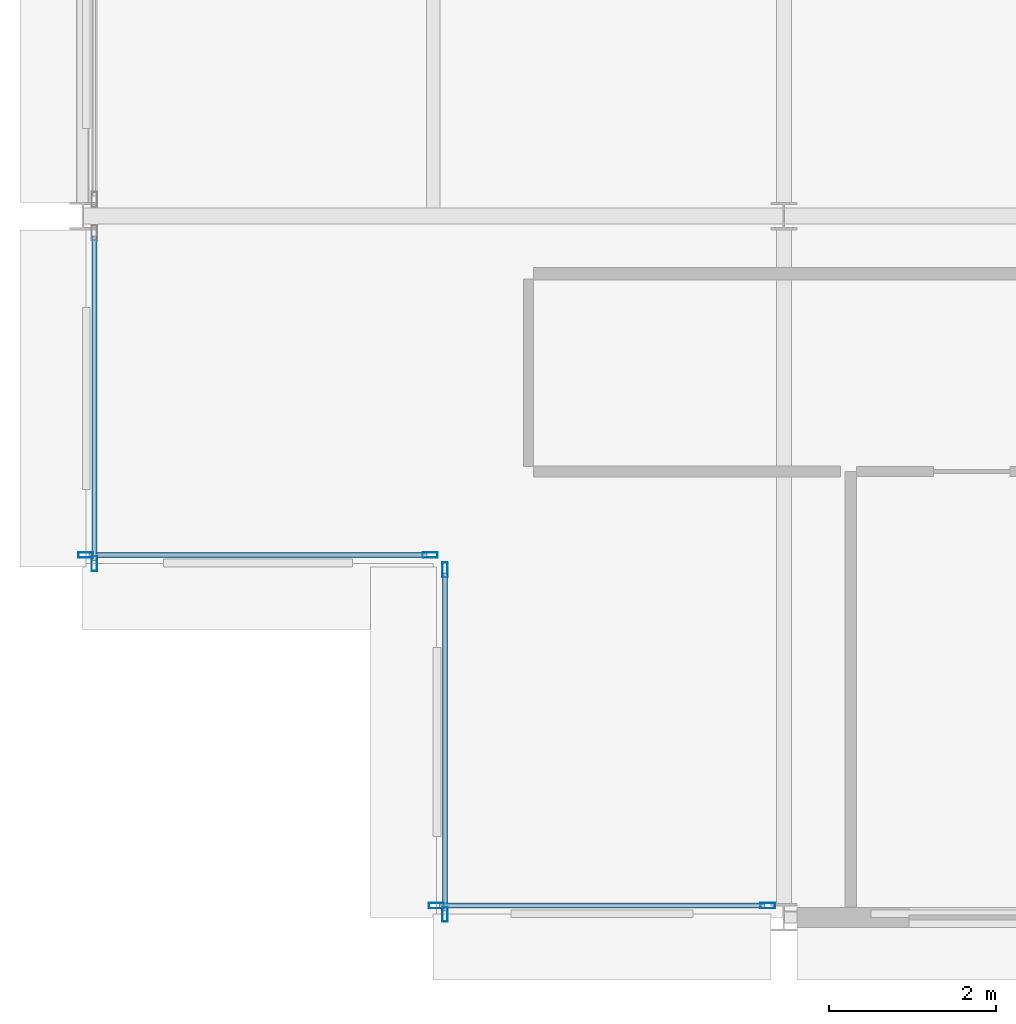
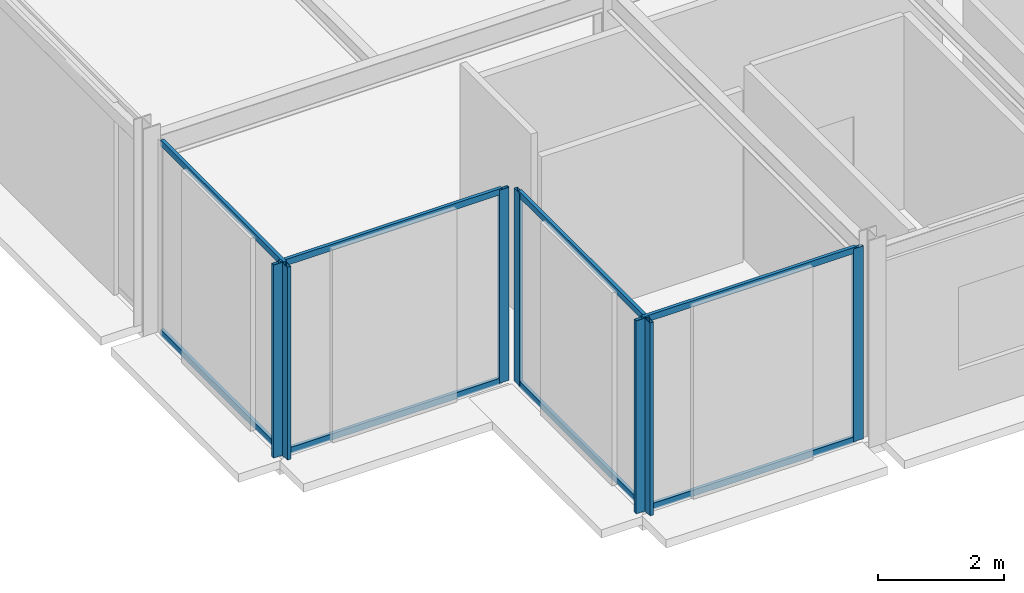
# One storey, part 3 of 27: 15 members, 4 elements without a shape of their own.
"""IFC4 building model written with IfcOpenShell, lengths in metres."""

import ifcopenshell
import ifcopenshell.guid

model = None  # the IFC model being written
_history = None  # IfcOwnerHistory: only IFC2X3 demands one
_inside = {}  # id of a spatial element -> (the spatial element, [elements in it])
_under = {}  # id of a project, library or spatial element -> (it, [spatial elements below it])
_declared = {}  # id of a project -> (the project, [libraries it declares])
_typed = {}  # id of a type object -> (the type object, [elements of that type])
_made_of = {}  # id of a material, layer set ... -> (it, [elements and type objects made of it])


def new_model(schema):
    """Start an empty IFC model of exactly this schema.

    Asked for "IFC4X3", IfcOpenShell would pick the latest addendum, in which some entities
    have other attributes; the version numbers below select the first issue.
    IFC2X3 requires an IfcOwnerHistory on every rooted entity: one is made here for all.
    """
    global model, _history
    if schema == "IFC4X3":
        model = ifcopenshell.file(schema_version=(4, 3, 0, 0))
    else:
        model = ifcopenshell.file(schema=schema)
    _inside.clear()
    _under.clear()
    _declared.clear()
    _typed.clear()
    _made_of.clear()
    _history = None
    if model.schema == "IFC2X3":
        org = make("IfcOrganization", Name="unknown")
        user = make(
            "IfcPersonAndOrganization",
            ThePerson=make("IfcPerson", FamilyName="unknown"),
            TheOrganization=org,
        )
        app = make(
            "IfcApplication",
            ApplicationDeveloper=org,
            Version="unknown",
            ApplicationFullName="unknown",
            ApplicationIdentifier="unknown",
        )
        _history = make(
            "IfcOwnerHistory",
            OwningUser=user,
            OwningApplication=app,
            ChangeAction="ADDED",
            CreationDate=0,
        )
    return model


def make(cls, **values):
    """One entity of the class cls with the attributes given. An attribute that is None is left unset."""
    return model.create_entity(
        cls, **{name: value for name, value in values.items() if value is not None}
    )


def rooted(cls, **values):
    """An entity with a GlobalId (a new one), such as an element, a storey or a relation."""
    return make(cls, GlobalId=ifcopenshell.guid.new(), OwnerHistory=_history, **values)


def si_unit(unit_type, name, prefix=None):
    """IfcSIUnit, for example si_unit("LENGTHUNIT", "METRE", prefix="MILLI")."""
    return make("IfcSIUnit", UnitType=unit_type, Prefix=prefix, Name=name)


def assignment(units):
    """IfcUnitAssignment: the units of a project."""
    return None if units is None else make("IfcUnitAssignment", Units=units)


def point(xyz):
    """IfcCartesianPoint."""
    return None if xyz is None else make("IfcCartesianPoint", Coordinates=xyz)


def direction(xyz):
    """IfcDirection."""
    return None if xyz is None else make("IfcDirection", DirectionRatios=xyz)


def frame(location, z_axis=None, x_axis=None):
    """IfcAxis2Placement3D, a coordinate frame: its origin and axes. An axis left out is left unset."""
    return make(
        "IfcAxis2Placement3D",
        Location=point(location),
        Axis=direction(z_axis),
        RefDirection=direction(x_axis),
    )


def frame_2d(location, x_axis=None):
    """IfcAxis2Placement2D, a coordinate frame in the plane: its origin and x axis."""
    return make(
        "IfcAxis2Placement2D", Location=point(location), RefDirection=direction(x_axis)
    )


def origin():
    """The frame at (0, 0, 0) with its axes left unset."""
    return frame((0.0, 0.0, 0.0))


def origin_2d():
    """The frame at (0, 0) in the plane with its x axis left unset."""
    return frame_2d((0.0, 0.0))


def place(relative_to, where):
    """IfcLocalPlacement: puts the frame where relative to a parent placement (None: the world)."""
    return make(
        "IfcLocalPlacement", PlacementRelTo=relative_to, RelativePlacement=where
    )


def context(
    kind, dimensions, precision=None, world=None, true_north=None, identifier=None
):
    """IfcGeometricRepresentationContext, for example the 3D "Model" context."""
    return make(
        "IfcGeometricRepresentationContext",
        ContextIdentifier=identifier,
        ContextType=kind,
        CoordinateSpaceDimension=dimensions,
        Precision=precision,
        WorldCoordinateSystem=world,
        TrueNorth=true_north,
    )


def subcontext(parent, identifier, kind, view, scale=None):
    """IfcGeometricRepresentationSubContext, for example "Body" below "Model"."""
    return make(
        "IfcGeometricRepresentationSubContext",
        ContextIdentifier=identifier,
        ContextType=kind,
        ParentContext=parent,
        TargetScale=scale,
        TargetView=view,
    )


def project(units=None, contexts=None):
    """IfcProject with its units and contexts."""
    return rooted(
        "IfcProject",
        Name="project",
        RepresentationContexts=contexts,
        UnitsInContext=assignment(units),
    )


def spatial(cls, under=None, at=None, **own):
    """A site, building, storey or space (cls), placed at a placement, below another one or the project."""
    s = rooted(cls, ObjectPlacement=at, **own)
    if under is not None:
        _under.setdefault(under.id(), (under, []))[1].append(s)
    return s


def profile(cls, at=None, kind="AREA", **sizes):
    """A parametric profile (cls). Its sizes go by their IFC names, for example OverallWidth=200.0."""
    return make(cls, ProfileType=kind, Position=at, **sizes)


def hollow_rectangle(**sizes):
    """IfcRectangleHollowProfileDef."""
    return profile("IfcRectangleHollowProfileDef", **sizes)


def extrude(swept, where, along, depth):
    """IfcExtrudedAreaSolid: the profile swept, set in the frame where, extruded along a direction by depth."""
    return make(
        "IfcExtrudedAreaSolid",
        SweptArea=swept,
        Position=where,
        ExtrudedDirection=direction(along),
        Depth=depth,
    )


def shape(context_of_items, identifier, shape_type, items):
    """IfcShapeRepresentation: the items that make up one representation, for example the "Body"."""
    return make(
        "IfcShapeRepresentation",
        ContextOfItems=context_of_items,
        RepresentationIdentifier=identifier,
        RepresentationType=shape_type,
        Items=items,
    )


def material(Name=None, Category=None):
    """IfcMaterial."""
    return make("IfcMaterial", Name=Name, Category=Category)


def layer(
    of_material, thickness, ventilated=None, Name=None, Category=None, Priority=None
):
    """IfcMaterialLayer: one layer of a wall or slab, of a material (None: an air gap)."""
    return make(
        "IfcMaterialLayer",
        Material=of_material,
        LayerThickness=thickness,
        IsVentilated=ventilated,
        Name=Name,
        Category=Category,
        Priority=Priority,
    )


def layer_set(layers, Name=None):
    """IfcMaterialLayerSet."""
    return make("IfcMaterialLayerSet", MaterialLayers=layers, LayerSetName=Name)


def material_profile(
    of_material, cross_section, Name=None, Category=None, Priority=None
):
    """IfcMaterialProfile: a cross section and its material."""
    return make(
        "IfcMaterialProfile",
        Name=Name,
        Material=of_material,
        Profile=cross_section,
        Priority=Priority,
        Category=Category,
    )


def profile_set(profiles, Name=None, composite=None):
    """IfcMaterialProfileSet."""
    return make(
        "IfcMaterialProfileSet",
        Name=Name,
        MaterialProfiles=profiles,
        CompositeProfile=composite,
    )


def made_of(thing, what):
    """Note that an element or type object is made of a material, layer set ...; save() writes the relation."""
    if what is not None:
        _made_of.setdefault(what.id(), (what, []))[1].append(thing)
    return thing


def type_object(cls, material=None, **own):
    """A type object (cls), such as IfcWallType, which elements share."""
    return made_of(rooted(cls, **own), material)


def element(
    cls,
    number,
    at=None,
    inside=None,
    cuts=None,
    type_object=None,
    material=None,
    context=None,
    identifier="Body",
    shape_type=None,
    held_by="IfcProductDefinitionShape",
    body=None,
    shapes=None,
    **own,
):
    """One element of the class cls, such as IfcWall. Its Tag is "e" and its number.

    at: its placement. inside: the storey or other place that contains it. cuts: it is an
    opening in that element (IfcRelVoidsElement). A single representation is given by context,
    identifier, shape_type and body (its items); several are given by shapes. held_by: the class
    of the entity that holds the representations. save() writes the other relations.
    """
    e = rooted(cls, Tag="e%d" % number, ObjectPlacement=at, **own)
    if body is not None:
        shapes = [shape(context, identifier, shape_type, body)]
    if shapes is not None:
        e.Representation = make(held_by, Representations=shapes)
    if inside is not None:
        _inside.setdefault(inside.id(), (inside, []))[1].append(e)
    if cuts is not None:
        rooted(
            "IfcRelVoidsElement", RelatingBuildingElement=cuts, RelatedOpeningElement=e
        )
    if type_object is not None:
        _typed.setdefault(type_object.id(), (type_object, []))[1].append(e)
    return made_of(e, material)


def aggregate(whole, parts):
    """IfcRelAggregates: a whole, such as a stair, and the parts it consists of."""
    return rooted("IfcRelAggregates", RelatingObject=whole, RelatedObjects=parts)


def save(model, path):
    """Write the relations noted so far, then the file.

    IfcRelAggregates (storeys below a building ...), IfcRelContainedInSpatialStructure (elements
    in a storey), IfcRelDefinesByType, IfcRelAssociatesMaterial and IfcRelDeclares: one each for
    every whole, place, type object, material and project.
    """
    for whole, parts in _under.values():
        aggregate(whole, parts)
    for where, things in _inside.values():
        rooted(
            "IfcRelContainedInSpatialStructure",
            RelatedElements=things,
            RelatingStructure=where,
        )
    for kind, things in _typed.values():
        rooted("IfcRelDefinesByType", RelatedObjects=things, RelatingType=kind)
    for what, things in _made_of.values():
        rooted("IfcRelAssociatesMaterial", RelatedObjects=things, RelatingMaterial=what)
    for by, libraries in _declared.values():
        rooted("IfcRelDeclares", RelatingContext=by, RelatedDefinitions=libraries)
    model.write(path)


model = new_model("IFC4")

# Units and contexts
model_context = context("Model", 3, precision=1e-05, world=origin(), true_north=direction((0.0, 1.0)))
body_context = subcontext(model_context, "Body", "Model", "MODEL_VIEW")
ifc_project = project(units=[si_unit("LENGTHUNIT", "METRE"), si_unit("AREAUNIT", "SQUARE_METRE"), si_unit("VOLUMEUNIT", "CUBIC_METRE"), si_unit("PLANEANGLEUNIT", "RADIAN"), si_unit("MASSUNIT", "GRAM", prefix="KILO")], contexts=[model_context])

# Site, building, storey
site_placement = place(None, origin())
site = spatial("IfcSite", under=ifc_project, at=site_placement, CompositionType="ELEMENT")
building_placement = place(site_placement, origin())
building = spatial("IfcBuilding", under=site, at=building_placement, Name="Nerrivon Quay Data Exchange", CompositionType="ELEMENT")
storey_placement = place(building_placement, frame((0.0, 0.0, 254.199951171875)))
storey = spatial("IfcBuildingStorey", under=building, at=storey_placement, Name="L60", CompositionType="ELEMENT", Elevation=254.199951171875)

# Curtain wall, members
ifc_material = material(Name="Anodised aluminium 6063-T6", Category="aluminium")
ifc_layer = layer(ifc_material, 0.195068359375)
ifc_layer_set = layer_set([ifc_layer], Name="Anodised aluminium 6063-T6")
curtain_wall_type = type_object("IfcCurtainWallType", Name="CW-SYS-06", PredefinedType="NOTDEFINED", material=ifc_layer_set)
curtain_wall_1_placement = place(storey_placement, origin())
curtain_wall_1 = element("IfcCurtainWall", 1, at=curtain_wall_1_placement, inside=storey, type_object=curtain_wall_type, Name="L60 Unitised Curtain Wall 8", PredefinedType="NOTDEFINED")
ifc_material_profile_1 = material_profile(ifc_material, hollow_rectangle(XDim=0.06494140625, YDim=0.179931640625, WallThickness=0.00341796875, at=origin_2d()), Name="ALU-MULL-180x65")
ifc_profile_set_1 = profile_set([ifc_material_profile_1], Name="Anodised aluminium 6063-T6")
member_type_1 = type_object("IfcMemberType", Name="CWM-180x65", PredefinedType="MULLION", material=ifc_profile_set_1)
member_1_placement = place(storey_placement, frame((8.20703125, 0.139892578125, 0.0), z_axis=(0.0, 0.0, 1.0), x_axis=(0.0, -1.0, 0.0)))
member_1 = element("IfcMember", 2, at=member_1_placement, type_object=member_type_1, Name="CW06 mullion 1", PredefinedType="MULLION", context=body_context, shape_type="SweptSolid", body=[
    extrude(hollow_rectangle(XDim=0.06494140625, YDim=0.179931640625, WallThickness=0.00341796875, at=origin_2d()), origin(), (0.0, 0.0, 1.0), 3.72509765625),
])
member_2_placement = place(storey_placement, frame((4.237548828125, 0.139892578125, 0.0), z_axis=(0.0, 0.0, 1.0), x_axis=(0.0, -1.0, 0.0)))
member_2 = element("IfcMember", 3, at=member_2_placement, type_object=member_type_1, Name="CW06 mullion 2", PredefinedType="MULLION", context=body_context, shape_type="SweptSolid", body=[
    extrude(hollow_rectangle(XDim=0.06494140625, YDim=0.179931640625, WallThickness=0.00341796875, at=origin_2d()), origin(), (0.0, 0.0, 1.0), 3.72509765625),
])

curtain_wall_2_placement = place(storey_placement, origin())
curtain_wall_2 = element("IfcCurtainWall", 4, at=curtain_wall_2_placement, inside=storey, type_object=curtain_wall_type, Name="L60 Unitised Curtain Wall 9", PredefinedType="NOTDEFINED")
member_3_placement = place(storey_placement, frame((4.340087890625, 0.03759765625, 0.0), z_axis=(0.0, 0.0, 1.0), x_axis=(-1.0, 0.0, 0.0)))
member_3 = element("IfcMember", 5, at=member_3_placement, type_object=member_type_1, Name="CW06 mullion 1", PredefinedType="MULLION", context=body_context, shape_type="SweptSolid", body=[
    extrude(hollow_rectangle(XDim=0.06494140625, YDim=0.179931640625, WallThickness=0.00341796875, at=origin_2d()), origin(), (0.0, 0.0, 1.0), 3.72509765625),
])
member_4_placement = place(storey_placement, frame((4.340087890625, 4.16259765625, 0.0), z_axis=(0.0, 0.0, 1.0), x_axis=(-1.0, 0.0, 0.0)))
member_4 = element("IfcMember", 6, at=member_4_placement, type_object=member_type_1, Name="CW06 mullion 2", PredefinedType="MULLION", context=body_context, shape_type="SweptSolid", body=[
    extrude(hollow_rectangle(XDim=0.06494140625, YDim=0.179931640625, WallThickness=0.00341796875, at=origin_2d()), origin(), (0.0, 0.0, 1.0), 3.72509765625),
])

curtain_wall_3_placement = place(storey_placement, origin())
curtain_wall_3 = element("IfcCurtainWall", 7, at=curtain_wall_3_placement, inside=storey, type_object=curtain_wall_type, Name="L60 Unitised Curtain Wall 10", PredefinedType="NOTDEFINED")
member_5_placement = place(storey_placement, frame((4.16259765625, 4.340087890625, 0.0), z_axis=(0.0, 0.0, 1.0), x_axis=(0.0, -1.0, 0.0)))
member_5 = element("IfcMember", 8, at=member_5_placement, type_object=member_type_1, Name="CW06 mullion 1", PredefinedType="MULLION", context=body_context, shape_type="SweptSolid", body=[
    extrude(hollow_rectangle(XDim=0.06494140625, YDim=0.179931640625, WallThickness=0.00341796875, at=origin_2d()), origin(), (0.0, 0.0, 1.0), 3.72509765625),
])
member_6_placement = place(storey_placement, frame((0.03759765625, 4.340087890625, 0.0), z_axis=(0.0, 0.0, 1.0), x_axis=(0.0, -1.0, 0.0)))
member_6 = element("IfcMember", 9, at=member_6_placement, type_object=member_type_1, Name="CW06 mullion 2", PredefinedType="MULLION", context=body_context, shape_type="SweptSolid", body=[
    extrude(hollow_rectangle(XDim=0.06494140625, YDim=0.179931640625, WallThickness=0.00341796875, at=origin_2d()), origin(), (0.0, 0.0, 1.0), 3.72509765625),
])

# Curtain wall, member
curtain_wall_4_placement = place(storey_placement, origin())
curtain_wall_4 = element("IfcCurtainWall", 10, at=curtain_wall_4_placement, inside=storey, type_object=curtain_wall_type, Name="L60 Unitised Curtain Wall 11", PredefinedType="NOTDEFINED")
member_7_placement = place(storey_placement, frame((0.139892578125, 4.237548828125, 0.0), z_axis=(0.0, 0.0, 1.0), x_axis=(-1.0, 0.0, 0.0)))
member_7 = element("IfcMember", 11, at=member_7_placement, type_object=member_type_1, Name="CW06 mullion 1", PredefinedType="MULLION", context=body_context, shape_type="SweptSolid", body=[
    extrude(hollow_rectangle(XDim=0.06494140625, YDim=0.179931640625, WallThickness=0.00341796875, at=origin_2d()), origin(), (0.0, 0.0, 1.0), 3.72509765625),
])

# Member
ifc_material_profile_2 = material_profile(ifc_material, hollow_rectangle(XDim=0.06005859375, YDim=0.1201171875, WallThickness=0.003173828125, at=origin_2d()), Name="ALU-TRAN-120x60")
ifc_profile_set_2 = profile_set([ifc_material_profile_2], Name="Anodised aluminium 6063-T6")
member_type_2 = type_object("IfcMemberType", Name="CWT-120x60", PredefinedType="USERDEFINED", material=ifc_profile_set_2)
member_8_placement = place(storey_placement, frame((8.16943359375, 0.139892578125, 0.032470703125), z_axis=(-1.0, 0.0, 0.0), x_axis=(0.0, -1.0, 0.0)))
member_8 = element("IfcMember", 12, at=member_8_placement, type_object=member_type_2, Name="CW06 transom 1.1", ObjectType="TRANSOM", PredefinedType="USERDEFINED", context=body_context, shape_type="SweptSolid", body=[
    extrude(hollow_rectangle(XDim=0.06005859375, YDim=0.1201171875, WallThickness=0.003173828125, at=origin_2d()), origin(), (0.0, 0.0, 1.0), 3.89453125),
])

member_9_placement = place(storey_placement, frame((8.16943359375, 0.139892578125, 3.692626953125), z_axis=(-1.0, 0.0, 0.0), x_axis=(0.0, -1.0, 0.0)))
member_9 = element("IfcMember", 13, at=member_9_placement, type_object=member_type_2, Name="CW06 transom 1.2", ObjectType="TRANSOM", PredefinedType="USERDEFINED", context=body_context, shape_type="SweptSolid", body=[
    extrude(hollow_rectangle(XDim=0.06005859375, YDim=0.1201171875, WallThickness=0.003173828125, at=origin_2d()), origin(), (0.0, 0.0, 1.0), 3.89453125),
])

aggregate(curtain_wall_1, [member_1, member_2, member_8, member_9])

member_10_placement = place(storey_placement, frame((4.340087890625, 0.074951171875, 0.032470703125), z_axis=(0.0, 1.0, 0.0), x_axis=(-1.0, 0.0, 0.0)))
member_10 = element("IfcMember", 14, at=member_10_placement, type_object=member_type_2, Name="CW06 transom 1.1", ObjectType="TRANSOM", PredefinedType="USERDEFINED", context=body_context, shape_type="SweptSolid", body=[
    extrude(hollow_rectangle(XDim=0.06005859375, YDim=0.1201171875, WallThickness=0.003173828125, at=origin_2d()), origin(), (0.0, 0.0, 1.0), 4.050048828125),
])

member_11_placement = place(storey_placement, frame((4.340087890625, 0.074951171875, 3.692626953125), z_axis=(0.0, 1.0, 0.0), x_axis=(-1.0, 0.0, 0.0)))
member_11 = element("IfcMember", 15, at=member_11_placement, type_object=member_type_2, Name="CW06 transom 1.2", ObjectType="TRANSOM", PredefinedType="USERDEFINED", context=body_context, shape_type="SweptSolid", body=[
    extrude(hollow_rectangle(XDim=0.06005859375, YDim=0.1201171875, WallThickness=0.003173828125, at=origin_2d()), origin(), (0.0, 0.0, 1.0), 4.050048828125),
])

aggregate(curtain_wall_2, [member_3, member_4, member_10, member_11])

member_12_placement = place(storey_placement, frame((4.125, 4.340087890625, 0.032470703125), z_axis=(-1.0, 0.0, 0.0), x_axis=(0.0, -1.0, 0.0)))
member_12 = element("IfcMember", 16, at=member_12_placement, type_object=member_type_2, Name="CW06 transom 1.1", ObjectType="TRANSOM", PredefinedType="USERDEFINED", context=body_context, shape_type="SweptSolid", body=[
    extrude(hollow_rectangle(XDim=0.06005859375, YDim=0.1201171875, WallThickness=0.003173828125, at=origin_2d()), origin(), (0.0, 0.0, 1.0), 4.050048828125),
])

member_13_placement = place(storey_placement, frame((4.125, 4.340087890625, 3.692626953125), z_axis=(-1.0, 0.0, 0.0), x_axis=(0.0, -1.0, 0.0)))
member_13 = element("IfcMember", 17, at=member_13_placement, type_object=member_type_2, Name="CW06 transom 1.2", ObjectType="TRANSOM", PredefinedType="USERDEFINED", context=body_context, shape_type="SweptSolid", body=[
    extrude(hollow_rectangle(XDim=0.06005859375, YDim=0.1201171875, WallThickness=0.003173828125, at=origin_2d()), origin(), (0.0, 0.0, 1.0), 4.050048828125),
])

aggregate(curtain_wall_3, [member_5, member_6, member_12, member_13])

member_14_placement = place(storey_placement, frame((0.139892578125, 4.27490234375, 0.032470703125), z_axis=(0.0, 1.0, 0.0), x_axis=(-1.0, 0.0, 0.0)))
member_14 = element("IfcMember", 18, at=member_14_placement, type_object=member_type_2, Name="CW06 transom 1.1", ObjectType="TRANSOM", PredefinedType="USERDEFINED", context=body_context, shape_type="SweptSolid", body=[
    extrude(hollow_rectangle(XDim=0.06005859375, YDim=0.1201171875, WallThickness=0.003173828125, at=origin_2d()), origin(), (0.0, 0.0, 1.0), 3.88671875),
])

member_15_placement = place(storey_placement, frame((0.139892578125, 4.27490234375, 3.692626953125), z_axis=(0.0, 1.0, 0.0), x_axis=(-1.0, 0.0, 0.0)))
member_15 = element("IfcMember", 19, at=member_15_placement, type_object=member_type_2, Name="CW06 transom 1.2", ObjectType="TRANSOM", PredefinedType="USERDEFINED", context=body_context, shape_type="SweptSolid", body=[
    extrude(hollow_rectangle(XDim=0.06005859375, YDim=0.1201171875, WallThickness=0.003173828125, at=origin_2d()), origin(), (0.0, 0.0, 1.0), 3.88671875),
])

aggregate(curtain_wall_4, [member_7, member_14, member_15])

save(model, "model.ifc")
